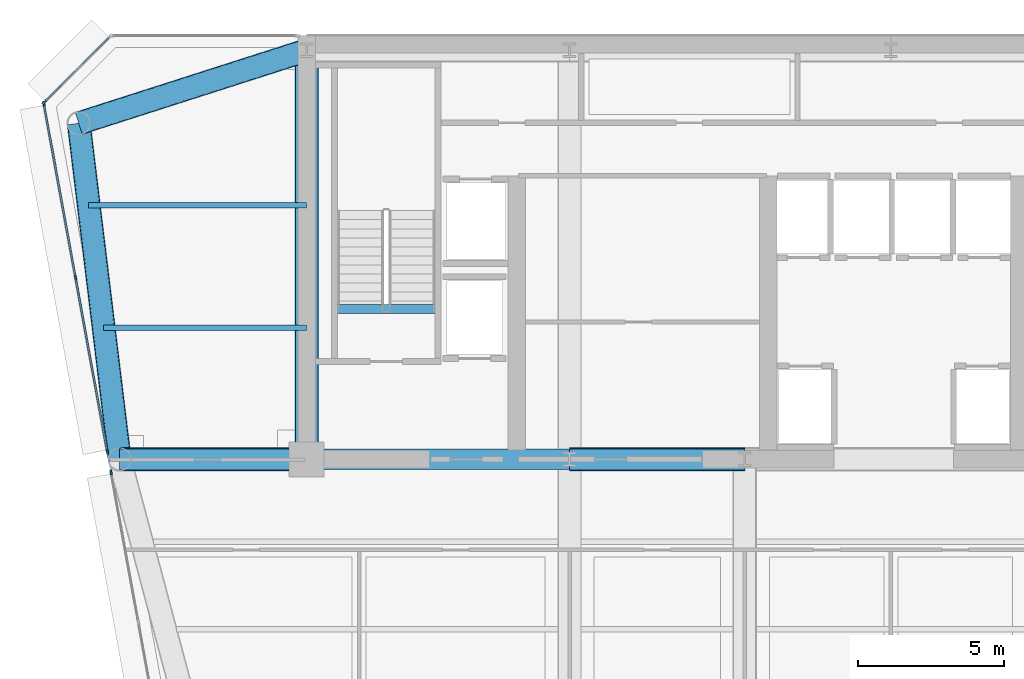
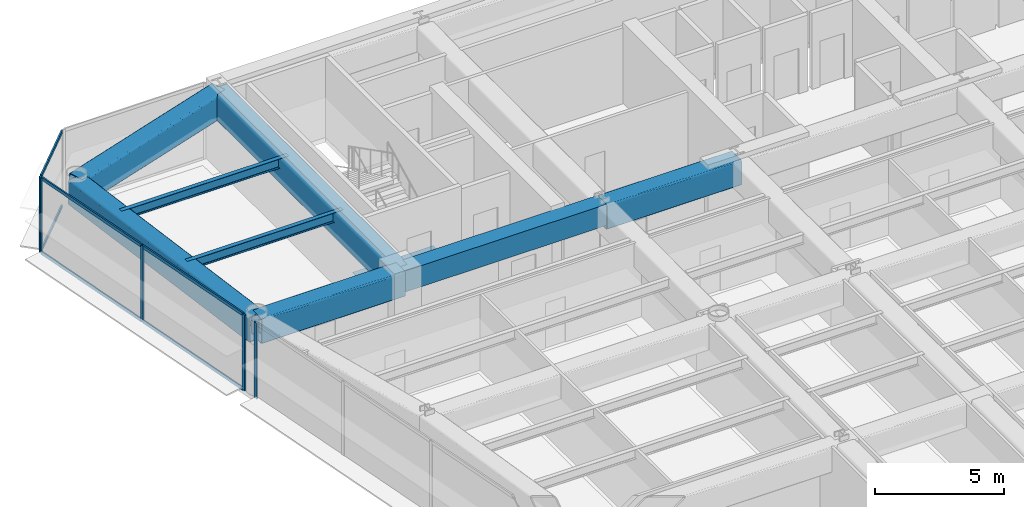
# One storey, part 7 of 17: 11 members, 9 beams, 3 elements without a shape of their own.
"""IFC4 building model written with IfcOpenShell, lengths in metres."""

import ifcopenshell
import ifcopenshell.guid

model = None  # the IFC model being written
_history = None  # IfcOwnerHistory: only IFC2X3 demands one
_inside = {}  # id of a spatial element -> (the spatial element, [elements in it])
_under = {}  # id of a project, library or spatial element -> (it, [spatial elements below it])
_declared = {}  # id of a project -> (the project, [libraries it declares])
_typed = {}  # id of a type object -> (the type object, [elements of that type])
_made_of = {}  # id of a material, layer set ... -> (it, [elements and type objects made of it])


def new_model(schema):
    """Start an empty IFC model of exactly this schema.

    Asked for "IFC4X3", IfcOpenShell would pick the latest addendum, in which some entities
    have other attributes; the version numbers below select the first issue.
    IFC2X3 requires an IfcOwnerHistory on every rooted entity: one is made here for all.
    """
    global model, _history
    if schema == "IFC4X3":
        model = ifcopenshell.file(schema_version=(4, 3, 0, 0))
    else:
        model = ifcopenshell.file(schema=schema)
    _inside.clear()
    _under.clear()
    _declared.clear()
    _typed.clear()
    _made_of.clear()
    _history = None
    if model.schema == "IFC2X3":
        org = make("IfcOrganization", Name="unknown")
        user = make(
            "IfcPersonAndOrganization",
            ThePerson=make("IfcPerson", FamilyName="unknown"),
            TheOrganization=org,
        )
        app = make(
            "IfcApplication",
            ApplicationDeveloper=org,
            Version="unknown",
            ApplicationFullName="unknown",
            ApplicationIdentifier="unknown",
        )
        _history = make(
            "IfcOwnerHistory",
            OwningUser=user,
            OwningApplication=app,
            ChangeAction="ADDED",
            CreationDate=0,
        )
    return model


def make(cls, **values):
    """One entity of the class cls with the attributes given. An attribute that is None is left unset."""
    return model.create_entity(
        cls, **{name: value for name, value in values.items() if value is not None}
    )


def rooted(cls, **values):
    """An entity with a GlobalId (a new one), such as an element, a storey or a relation."""
    return make(cls, GlobalId=ifcopenshell.guid.new(), OwnerHistory=_history, **values)


def si_unit(unit_type, name, prefix=None):
    """IfcSIUnit, for example si_unit("LENGTHUNIT", "METRE", prefix="MILLI")."""
    return make("IfcSIUnit", UnitType=unit_type, Prefix=prefix, Name=name)


def assignment(units):
    """IfcUnitAssignment: the units of a project."""
    return None if units is None else make("IfcUnitAssignment", Units=units)


def point(xyz):
    """IfcCartesianPoint."""
    return None if xyz is None else make("IfcCartesianPoint", Coordinates=xyz)


def direction(xyz):
    """IfcDirection."""
    return None if xyz is None else make("IfcDirection", DirectionRatios=xyz)


def frame(location, z_axis=None, x_axis=None):
    """IfcAxis2Placement3D, a coordinate frame: its origin and axes. An axis left out is left unset."""
    return make(
        "IfcAxis2Placement3D",
        Location=point(location),
        Axis=direction(z_axis),
        RefDirection=direction(x_axis),
    )


def frame_2d(location, x_axis=None):
    """IfcAxis2Placement2D, a coordinate frame in the plane: its origin and x axis."""
    return make(
        "IfcAxis2Placement2D", Location=point(location), RefDirection=direction(x_axis)
    )


def origin():
    """The frame at (0, 0, 0) with its axes left unset."""
    return frame((0.0, 0.0, 0.0))


def origin_2d():
    """The frame at (0, 0) in the plane with its x axis left unset."""
    return frame_2d((0.0, 0.0))


def place(relative_to, where):
    """IfcLocalPlacement: puts the frame where relative to a parent placement (None: the world)."""
    return make(
        "IfcLocalPlacement", PlacementRelTo=relative_to, RelativePlacement=where
    )


def context(
    kind, dimensions, precision=None, world=None, true_north=None, identifier=None
):
    """IfcGeometricRepresentationContext, for example the 3D "Model" context."""
    return make(
        "IfcGeometricRepresentationContext",
        ContextIdentifier=identifier,
        ContextType=kind,
        CoordinateSpaceDimension=dimensions,
        Precision=precision,
        WorldCoordinateSystem=world,
        TrueNorth=true_north,
    )


def subcontext(parent, identifier, kind, view, scale=None):
    """IfcGeometricRepresentationSubContext, for example "Body" below "Model"."""
    return make(
        "IfcGeometricRepresentationSubContext",
        ContextIdentifier=identifier,
        ContextType=kind,
        ParentContext=parent,
        TargetScale=scale,
        TargetView=view,
    )


def project(units=None, contexts=None):
    """IfcProject with its units and contexts."""
    return rooted(
        "IfcProject",
        Name="project",
        RepresentationContexts=contexts,
        UnitsInContext=assignment(units),
    )


def spatial(cls, under=None, at=None, **own):
    """A site, building, storey or space (cls), placed at a placement, below another one or the project."""
    s = rooted(cls, ObjectPlacement=at, **own)
    if under is not None:
        _under.setdefault(under.id(), (under, []))[1].append(s)
    return s


def profile(cls, at=None, kind="AREA", **sizes):
    """A parametric profile (cls). Its sizes go by their IFC names, for example OverallWidth=200.0."""
    return make(cls, ProfileType=kind, Position=at, **sizes)


def rectangle(**sizes):
    """IfcRectangleProfileDef."""
    return profile("IfcRectangleProfileDef", **sizes)


def hollow_rectangle(**sizes):
    """IfcRectangleHollowProfileDef."""
    return profile("IfcRectangleHollowProfileDef", **sizes)


def i_section(**sizes):
    """IfcIShapeProfileDef."""
    return profile("IfcIShapeProfileDef", **sizes)


def extrude(swept, where, along, depth):
    """IfcExtrudedAreaSolid: the profile swept, set in the frame where, extruded along a direction by depth."""
    return make(
        "IfcExtrudedAreaSolid",
        SweptArea=swept,
        Position=where,
        ExtrudedDirection=direction(along),
        Depth=depth,
    )


def shape(context_of_items, identifier, shape_type, items):
    """IfcShapeRepresentation: the items that make up one representation, for example the "Body"."""
    return make(
        "IfcShapeRepresentation",
        ContextOfItems=context_of_items,
        RepresentationIdentifier=identifier,
        RepresentationType=shape_type,
        Items=items,
    )


def source(mapping_origin, context_of_items, identifier, shape_type, items):
    """IfcRepresentationMap: a shape defined once, which mapped items show again and again."""
    return make(
        "IfcRepresentationMap",
        MappingOrigin=mapping_origin,
        MappedRepresentation=shape(context_of_items, identifier, shape_type, items),
    )


def transform(
    local_origin,
    x_axis=None,
    y_axis=None,
    z_axis=None,
    scale=None,
    scale2=None,
    scale3=None,
    uniform=True,
):
    """IfcCartesianTransformationOperator3D, or its non-uniform kind. x_axis, y_axis, z_axis: its Axis1, 2, 3."""
    if uniform:
        return make(
            "IfcCartesianTransformationOperator3D",
            Axis1=direction(x_axis),
            Axis2=direction(y_axis),
            LocalOrigin=point(local_origin),
            Scale=scale,
            Axis3=direction(z_axis),
        )
    return make(
        "IfcCartesianTransformationOperator3DnonUniform",
        Axis1=direction(x_axis),
        Axis2=direction(y_axis),
        LocalOrigin=point(local_origin),
        Scale=scale,
        Axis3=direction(z_axis),
        Scale2=scale2,
        Scale3=scale3,
    )


def mapped(mapping_source, mapping_target):
    """IfcMappedItem: shows the shape of a source again, moved by a transform."""
    return make(
        "IfcMappedItem", MappingSource=mapping_source, MappingTarget=mapping_target
    )


def material(Name=None, Category=None):
    """IfcMaterial."""
    return make("IfcMaterial", Name=Name, Category=Category)


def layer(
    of_material, thickness, ventilated=None, Name=None, Category=None, Priority=None
):
    """IfcMaterialLayer: one layer of a wall or slab, of a material (None: an air gap)."""
    return make(
        "IfcMaterialLayer",
        Material=of_material,
        LayerThickness=thickness,
        IsVentilated=ventilated,
        Name=Name,
        Category=Category,
        Priority=Priority,
    )


def layer_set(layers, Name=None):
    """IfcMaterialLayerSet."""
    return make("IfcMaterialLayerSet", MaterialLayers=layers, LayerSetName=Name)


def material_profile(
    of_material, cross_section, Name=None, Category=None, Priority=None
):
    """IfcMaterialProfile: a cross section and its material."""
    return make(
        "IfcMaterialProfile",
        Name=Name,
        Material=of_material,
        Profile=cross_section,
        Priority=Priority,
        Category=Category,
    )


def profile_set(profiles, Name=None, composite=None):
    """IfcMaterialProfileSet."""
    return make(
        "IfcMaterialProfileSet",
        Name=Name,
        MaterialProfiles=profiles,
        CompositeProfile=composite,
    )


def made_of(thing, what):
    """Note that an element or type object is made of a material, layer set ...; save() writes the relation."""
    if what is not None:
        _made_of.setdefault(what.id(), (what, []))[1].append(thing)
    return thing


def type_object(cls, material=None, **own):
    """A type object (cls), such as IfcWallType, which elements share."""
    return made_of(rooted(cls, **own), material)


def element(
    cls,
    number,
    at=None,
    inside=None,
    cuts=None,
    type_object=None,
    material=None,
    context=None,
    identifier="Body",
    shape_type=None,
    held_by="IfcProductDefinitionShape",
    body=None,
    shapes=None,
    **own,
):
    """One element of the class cls, such as IfcWall. Its Tag is "e" and its number.

    at: its placement. inside: the storey or other place that contains it. cuts: it is an
    opening in that element (IfcRelVoidsElement). A single representation is given by context,
    identifier, shape_type and body (its items); several are given by shapes. held_by: the class
    of the entity that holds the representations. save() writes the other relations.
    """
    e = rooted(cls, Tag="e%d" % number, ObjectPlacement=at, **own)
    if body is not None:
        shapes = [shape(context, identifier, shape_type, body)]
    if shapes is not None:
        e.Representation = make(held_by, Representations=shapes)
    if inside is not None:
        _inside.setdefault(inside.id(), (inside, []))[1].append(e)
    if cuts is not None:
        rooted(
            "IfcRelVoidsElement", RelatingBuildingElement=cuts, RelatedOpeningElement=e
        )
    if type_object is not None:
        _typed.setdefault(type_object.id(), (type_object, []))[1].append(e)
    return made_of(e, material)


def aggregate(whole, parts):
    """IfcRelAggregates: a whole, such as a stair, and the parts it consists of."""
    return rooted("IfcRelAggregates", RelatingObject=whole, RelatedObjects=parts)


def save(model, path):
    """Write the relations noted so far, then the file.

    IfcRelAggregates (storeys below a building ...), IfcRelContainedInSpatialStructure (elements
    in a storey), IfcRelDefinesByType, IfcRelAssociatesMaterial and IfcRelDeclares: one each for
    every whole, place, type object, material and project.
    """
    for whole, parts in _under.values():
        aggregate(whole, parts)
    for where, things in _inside.values():
        rooted(
            "IfcRelContainedInSpatialStructure",
            RelatedElements=things,
            RelatingStructure=where,
        )
    for kind, things in _typed.values():
        rooted("IfcRelDefinesByType", RelatedObjects=things, RelatingType=kind)
    for what, things in _made_of.values():
        rooted("IfcRelAssociatesMaterial", RelatedObjects=things, RelatingMaterial=what)
    for by, libraries in _declared.values():
        rooted("IfcRelDeclares", RelatingContext=by, RelatedDefinitions=libraries)
    model.write(path)


model = new_model("IFC4")

# Units and contexts
model_context = context("Model", 3, precision=1e-05, world=origin(), true_north=direction((0.0, 1.0)))
body_context = subcontext(model_context, "Body", "Model", "MODEL_VIEW")
ifc_project = project(units=[si_unit("LENGTHUNIT", "METRE"), si_unit("AREAUNIT", "SQUARE_METRE"), si_unit("VOLUMEUNIT", "CUBIC_METRE"), si_unit("PLANEANGLEUNIT", "RADIAN"), si_unit("MASSUNIT", "GRAM", prefix="KILO")], contexts=[model_context])

# Site, building, storey
site_placement = place(None, origin())
site = spatial("IfcSite", under=ifc_project, at=site_placement, CompositionType="ELEMENT")
building_placement = place(site_placement, origin())
building = spatial("IfcBuilding", under=site, at=building_placement, Name="Vaeldorn Concourse Tower", CompositionType="ELEMENT")
storey_placement = place(building_placement, frame((0.0, 0.0, 176.60009765625)))
storey = spatial("IfcBuildingStorey", under=building, at=storey_placement, Name="L45", CompositionType="ELEMENT", Elevation=176.60009765625)

# Beams
ifc_material_1 = material(Name="Concrete C50/60", Category="concrete")
ifc_material_profile_1 = material_profile(ifc_material_1, rectangle(XDim=0.699951171875, YDim=1.0, at=origin_2d()), Name="RC 700x1000")
ifc_profile_set_1 = profile_set([ifc_material_profile_1], Name="Concrete C50/60")
beam_type_1 = type_object("IfcBeamType", Name="BM-CB-RC700", PredefinedType="BEAM", material=ifc_profile_set_1)
shared_shape_1 = source(origin(), body_context, "Body", "SweptSolid", [
    extrude(rectangle(XDim=0.699951171875, YDim=1.0, at=origin_2d()), origin(), (0.0, 0.0, 1.0), 9.0),
])
beam_1_placement = place(storey_placement, frame((14.0, 36.5, 3.079833984375), z_axis=(1.0, 0.0, 0.0), x_axis=(0.0, 1.0, 0.0)))
element("IfcBeam", 1, at=beam_1_placement, inside=storey, type_object=beam_type_1, Name="Core Coupling Beam L45-1", PredefinedType="BEAM", context=body_context, shape_type="MappedRepresentation", body=[
    mapped(shared_shape_1, transform((0.0, 0.0, 0.0), scale=1.0)),
])
ifc_material_2 = material(Name="Steel S355", Category="steel")
ifc_material_profile_2 = material_profile(ifc_material_2, i_section(OverallWidth=0.300048828125, OverallDepth=0.340087890625, WebThickness=0.011962890625, FlangeThickness=0.021484375, FilletRadius=0.027099609375, at=origin_2d()), Name="HEB 340")
ifc_profile_set_2 = profile_set([ifc_material_profile_2], Name="Steel S355")
beam_type_2 = type_object("IfcBeamType", Name="BM-ST-TRIM", PredefinedType="BEAM", material=ifc_profile_set_2)
shared_shape_2 = source(origin(), body_context, "Body", "SweptSolid", [
    extrude(i_section(OverallWidth=0.300048828125, OverallDepth=0.340087890625, WebThickness=0.011962890625, FlangeThickness=0.021484375, FilletRadius=0.027099609375, at=origin_2d()), origin(), (0.0, 0.0, 1.0), 3.590087890625),
])
beam_2_placement = place(storey_placement, frame((14.929931640625, 41.639892578125, -0.39013671875), z_axis=(1.0, 0.0, 0.0), x_axis=(0.0, 1.0, 0.0)))
element("IfcBeam", 2, at=beam_2_placement, inside=storey, type_object=beam_type_2, Name="Stair Landing Trimmer Beam ST-1 L45", PredefinedType="BEAM", context=body_context, shape_type="MappedRepresentation", body=[
    mapped(shared_shape_2, transform((0.0, 0.0, 0.0), scale=1.0)),
])
ifc_material_3 = material(Name="Steel S460", Category="steel")
ifc_material_profile_3 = material_profile(ifc_material_3, hollow_rectangle(XDim=0.800048828125, YDim=1.199951171875, WallThickness=0.044921875, InnerFilletRadius=0.044921875, OuterFilletRadius=0.090087890625, at=origin_2d()), Name="RHS 1200x800x45")
ifc_profile_set_3 = profile_set([ifc_material_profile_3], Name="Steel S460")
beam_type_3 = type_object("IfcBeamType", Name="BM-TG-RHS1200", PredefinedType="BEAM", material=ifc_profile_set_3)
shared_shape_3 = source(origin(), body_context, "Body", "SweptSolid", [
    extrude(hollow_rectangle(XDim=0.800048828125, YDim=1.199951171875, WallThickness=0.044921875, InnerFilletRadius=0.044921875, OuterFilletRadius=0.090087890625, at=origin_2d()), origin(), (0.0, 0.0, 1.0), 6.0),
])
beam_3_placement = place(storey_placement, frame((23.0, 36.5, 2.97998046875), z_axis=(1.0, 0.0, 0.0), x_axis=(0.0, 1.0, 0.0)))
element("IfcBeam", 3, at=beam_3_placement, inside=storey, type_object=beam_type_3, Name="Beam BM-L45-C-FC2-C-FC3", PredefinedType="BEAM", context=body_context, shape_type="MappedRepresentation", body=[
    mapped(shared_shape_3, transform((0.0, 0.0, 0.0), scale=1.0)),
])
shared_shape_4 = source(origin(), body_context, "Body", "SweptSolid", [
    extrude(hollow_rectangle(XDim=0.800048828125, YDim=1.199951171875, WallThickness=0.044921875, InnerFilletRadius=0.044921875, OuterFilletRadius=0.090087890625, at=origin_2d()), origin(), (0.0, 0.0, 1.0), 14.0),
])
beam_4_placement = place(storey_placement, frame((14.0, 36.5, 2.97998046875), z_axis=(0.0, 1.0, 0.0), x_axis=(-1.0, 0.0, 0.0)))
element("IfcBeam", 4, at=beam_4_placement, inside=storey, type_object=beam_type_3, Name="Beam BM-L45-C-FC1-C-HC1", PredefinedType="BEAM", context=body_context, shape_type="MappedRepresentation", body=[
    mapped(shared_shape_4, transform((0.0, 0.0, 0.0), scale=1.0)),
])
shared_shape_5 = source(origin(), body_context, "Body", "SweptSolid", [
    extrude(hollow_rectangle(XDim=0.800048828125, YDim=1.199951171875, WallThickness=0.044921875, InnerFilletRadius=0.044921875, OuterFilletRadius=0.090087890625, at=origin_2d()), origin(), (0.0, 0.0, 1.0), 6.39990234375),
])
beam_5_placement = place(storey_placement, frame((7.60009765625, 36.5, 2.97998046875), z_axis=(1.0, 0.0, 0.0), x_axis=(0.0, 1.0, 0.0)))
element("IfcBeam", 5, at=beam_5_placement, inside=storey, type_object=beam_type_3, Name="Beam BM-L45-C-NW2-C-FC1", PredefinedType="BEAM", context=body_context, shape_type="MappedRepresentation", body=[
    mapped(shared_shape_5, transform((0.0, 0.0, 0.0), scale=1.0)),
])
shared_shape_6 = source(origin(), body_context, "Body", "SweptSolid", [
    extrude(hollow_rectangle(XDim=0.800048828125, YDim=1.199951171875, WallThickness=0.044921875, InnerFilletRadius=0.044921875, OuterFilletRadius=0.090087890625, at=origin_2d()), origin(), (0.0, 0.0, 1.0), 8.19091796875),
])
beam_6_placement = place(storey_placement, frame((6.199951171875, 48.0, 2.97998046875), z_axis=(0.952282843383, 0.305216949396, 0.0), x_axis=(-0.305216949396, 0.952282843383, 0.0)))
element("IfcBeam", 6, at=beam_6_placement, inside=storey, type_object=beam_type_3, Name="Beam BM-L45-C-NW1-C-HC1", PredefinedType="BEAM", context=body_context, shape_type="MappedRepresentation", body=[
    mapped(shared_shape_6, transform((0.0, 0.0, 0.0), scale=1.0)),
])
shared_shape_7 = source(origin(), body_context, "Body", "SweptSolid", [
    extrude(hollow_rectangle(XDim=0.800048828125, YDim=1.199951171875, WallThickness=0.044921875, InnerFilletRadius=0.044921875, OuterFilletRadius=0.090087890625, at=origin_2d()), origin(), (0.0, 0.0, 1.0), 11.5849609375),
])
beam_7_placement = place(storey_placement, frame((6.199951171875, 48.0, 2.97998046875), z_axis=(0.120859382899, -0.992669637677, 0.0), x_axis=(0.992669637677, 0.120859382899, 0.0)))
element("IfcBeam", 7, at=beam_7_placement, inside=storey, type_object=beam_type_3, Name="Beam BM-L45-C-NW1-C-NW2", PredefinedType="BEAM", context=body_context, shape_type="MappedRepresentation", body=[
    mapped(shared_shape_7, transform((0.0, 0.0, 0.0), scale=1.0)),
])
ifc_material_profile_4 = material_profile(ifc_material_2, i_section(OverallWidth=0.18994140625, OverallDepth=0.449951171875, WebThickness=0.009521484375, FlangeThickness=0.0146484375, FilletRadius=0.02099609375, at=origin_2d()), Name="IPE 450")
ifc_profile_set_4 = profile_set([ifc_material_profile_4], Name="Steel S355")
beam_type_4 = type_object("IfcBeamType", Name="BM-JS-IPE450", PredefinedType="JOIST", material=ifc_profile_set_4)
shared_shape_8 = source(origin(), body_context, "Body", "SweptSolid", [
    extrude(i_section(OverallWidth=0.18994140625, OverallDepth=0.449951171875, WebThickness=0.009521484375, FlangeThickness=0.0146484375, FilletRadius=0.02099609375, at=origin_2d()), origin(), (0.0, 0.0, 1.0), 6.94775390625),
])
beam_8_placement = place(storey_placement, frame((7.05224609375, 41.0, 3.35498046875), z_axis=(1.0, 0.0, 0.0), x_axis=(0.0, 1.0, 0.0)))
element("IfcBeam", 8, at=beam_8_placement, inside=storey, type_object=beam_type_4, Name="Beam JS-L45-NW-410", PredefinedType="JOIST", context=body_context, shape_type="MappedRepresentation", body=[
    mapped(shared_shape_8, transform((0.0, 0.0, 0.0), scale=1.0)),
])
shared_shape_9 = source(origin(), body_context, "Body", "SweptSolid", [
    extrude(i_section(OverallWidth=0.18994140625, OverallDepth=0.449951171875, WebThickness=0.009521484375, FlangeThickness=0.0146484375, FilletRadius=0.02099609375, at=origin_2d()), origin(), (0.0, 0.0, 1.0), 7.458984375),
])
beam_9_placement = place(storey_placement, frame((6.541015625, 45.199951171875, 3.35498046875), z_axis=(1.0, 0.0, 0.0), x_axis=(0.0, 1.0, 0.0)))
element("IfcBeam", 9, at=beam_9_placement, inside=storey, type_object=beam_type_4, Name="Beam JS-L45-NW-452", PredefinedType="JOIST", context=body_context, shape_type="MappedRepresentation", body=[
    mapped(shared_shape_9, transform((0.0, 0.0, 0.0), scale=1.0)),
])

# Curtain wall, member
ifc_material_4 = material(Name="Anodised Bronze Aluminium", Category="aluminium")
ifc_layer = layer(ifc_material_4, 0.18994140625)
ifc_layer_set = layer_set([ifc_layer], Name="Anodised Bronze Aluminium")
curtain_wall_type = type_object("IfcCurtainWallType", Name="CW-SYS-03", PredefinedType="NOTDEFINED", material=ifc_layer_set)
curtain_wall_1_placement = place(storey_placement, origin())
curtain_wall_1 = element("IfcCurtainWall", 10, at=curtain_wall_1_placement, inside=storey, type_object=curtain_wall_type, Name="Unitised Curtain Wall CW-L45-E10-1", PredefinedType="NOTDEFINED")
ifc_material_profile_5 = material_profile(ifc_material_4, rectangle(XDim=0.06494140625, YDim=0.169921875, at=origin_2d()), Name="CWM 65x170")
ifc_profile_set_5 = profile_set([ifc_material_profile_5], Name="Anodised Bronze Aluminium")
member_type_1 = type_object("IfcMemberType", Name="CWM-BRONZE-170", PredefinedType="MULLION", material=ifc_profile_set_5)
shared_shape_10 = source(origin(), body_context, "Body", "SweptSolid", [
    extrude(rectangle(XDim=0.06494140625, YDim=0.169921875, at=origin_2d()), origin(), (0.0, 0.0, 1.0), 3.579833984375),
])
member_1_placement = place(storey_placement, frame((5.02294921875, 48.722900390625, 0.0), z_axis=(0.0, 0.0, 1.0), x_axis=(0.707106781187, -0.707106781187, 0.0)))
member_1 = element("IfcMember", 11, at=member_1_placement, type_object=member_type_1, Name="CW-03 mullion 2", PredefinedType="MULLION", context=body_context, shape_type="MappedRepresentation", body=[
    mapped(shared_shape_10, transform((0.0, 0.0, 0.0), scale=1.0)),
])

# Curtain wall, members
curtain_wall_2_placement = place(storey_placement, origin())
curtain_wall_2 = element("IfcCurtainWall", 12, at=curtain_wall_2_placement, inside=storey, type_object=curtain_wall_type, Name="Unitised Curtain Wall CW-L45-E11-1", PredefinedType="NOTDEFINED")
member_2_placement = place(storey_placement, frame((5.005859375, 48.66796875, 0.0), z_axis=(0.0, 0.0, 1.0), x_axis=(0.983767579285, 0.179447345892, 0.0)))
member_2 = element("IfcMember", 13, at=member_2_placement, type_object=member_type_1, Name="CW-03 mullion 1", PredefinedType="MULLION", context=body_context, shape_type="MappedRepresentation", body=[
    mapped(shared_shape_10, transform((0.0, 0.0, 0.0), scale=1.0)),
])
member_3_placement = place(storey_placement, frame((6.091796875, 42.71484375, 0.0), z_axis=(0.0, 0.0, 1.0), x_axis=(0.983767579285, 0.179447345892, 0.0)))
member_3 = element("IfcMember", 14, at=member_3_placement, type_object=member_type_1, Name="CW-03 mullion 2", PredefinedType="MULLION", context=body_context, shape_type="MappedRepresentation", body=[
    mapped(shared_shape_10, transform((0.0, 0.0, 0.0), scale=1.0)),
])
member_4_placement = place(storey_placement, frame((7.177734375, 36.761474609375, 0.0), z_axis=(0.0, 0.0, 1.0), x_axis=(0.983767579285, 0.179447345892, 0.0)))
member_4 = element("IfcMember", 15, at=member_4_placement, type_object=member_type_1, Name="CW-03 mullion 3", PredefinedType="MULLION", context=body_context, shape_type="MappedRepresentation", body=[
    mapped(shared_shape_10, transform((0.0, 0.0, 0.0), scale=1.0)),
])

# Curtain wall, member
curtain_wall_3_placement = place(storey_placement, origin())
curtain_wall_3 = element("IfcCurtainWall", 16, at=curtain_wall_3_placement, inside=storey, type_object=curtain_wall_type, Name="Unitised Curtain Wall CW-L45-E11-2", PredefinedType="NOTDEFINED")
member_5_placement = place(storey_placement, frame((7.30712890625, 36.051513671875, 0.0), z_axis=(0.0, 0.0, 1.0), x_axis=(0.983767841325, 0.179445909331, 0.0)))
member_5 = element("IfcMember", 17, at=member_5_placement, type_object=member_type_1, Name="CW-03 mullion 1", PredefinedType="MULLION", context=body_context, shape_type="MappedRepresentation", body=[
    mapped(shared_shape_10, transform((0.0, 0.0, 0.0), scale=1.0)),
])
aggregate(curtain_wall_3, [member_5])

# Member
ifc_material_profile_6 = material_profile(ifc_material_4, rectangle(XDim=0.06494140625, YDim=0.14990234375, at=origin_2d()), Name="CWT 65x150")
ifc_profile_set_6 = profile_set([ifc_material_profile_6], Name="Anodised Bronze Aluminium")
member_type_2 = type_object("IfcMemberType", Name="CWT-BRONZE-150", PredefinedType="USERDEFINED", material=ifc_profile_set_6)
shared_shape_11 = source(origin(), body_context, "Body", "SweptSolid", [
    extrude(rectangle(XDim=0.06494140625, YDim=0.14990234375, at=origin_2d()), origin(), (0.0, 0.0, 1.0), 3.123046875),
])
member_6_placement = place(storey_placement, frame((7.254150390625, 50.9541015625, 0.032470703125), z_axis=(-0.707106781187, -0.707106781187, 0.0), x_axis=(0.707106781187, -0.707106781187, 0.0)))
member_6 = element("IfcMember", 18, at=member_6_placement, type_object=member_type_2, Name="CW-03 transom 1.1", ObjectType="TRANSOM", PredefinedType="USERDEFINED", context=body_context, shape_type="MappedRepresentation", body=[
    mapped(shared_shape_11, transform((0.0, 0.0, 0.0), scale=1.0)),
])

member_7_placement = place(storey_placement, frame((7.254150390625, 50.9541015625, 3.54736328125), z_axis=(-0.707106781187, -0.707106781187, 0.0), x_axis=(0.707106781187, -0.707106781187, 0.0)))
member_7 = element("IfcMember", 19, at=member_7_placement, type_object=member_type_2, Name="CW-03 transom 1.2", ObjectType="TRANSOM", PredefinedType="USERDEFINED", context=body_context, shape_type="MappedRepresentation", body=[
    mapped(shared_shape_11, transform((0.0, 0.0, 0.0), scale=1.0)),
])

aggregate(curtain_wall_1, [member_1, member_6, member_7])

shared_shape_12 = source(origin(), body_context, "Body", "SweptSolid", [
    extrude(rectangle(XDim=0.06494140625, YDim=0.14990234375, at=origin_2d()), origin(), (0.0, 0.0, 1.0), 5.986572265625),
])
member_8_placement = place(storey_placement, frame((6.09765625, 42.682861328125, 0.032470703125), z_axis=(0.179438079261, -0.98376926955, 0.0), x_axis=(0.98376926955, 0.179438079261, 0.0)))
member_8 = element("IfcMember", 20, at=member_8_placement, type_object=member_type_2, Name="CW-03 transom 2.1", ObjectType="TRANSOM", PredefinedType="USERDEFINED", context=body_context, shape_type="MappedRepresentation", body=[
    mapped(shared_shape_12, transform((0.0, 0.0, 0.0), scale=1.0)),
])

member_9_placement = place(storey_placement, frame((6.09765625, 42.682861328125, 3.54736328125), z_axis=(0.179438079261, -0.98376926955, 0.0), x_axis=(0.98376926955, 0.179438079261, 0.0)))
member_9 = element("IfcMember", 21, at=member_9_placement, type_object=member_type_2, Name="CW-03 transom 2.2", ObjectType="TRANSOM", PredefinedType="USERDEFINED", context=body_context, shape_type="MappedRepresentation", body=[
    mapped(shared_shape_12, transform((0.0, 0.0, 0.0), scale=1.0)),
])

shared_shape_13 = source(origin(), body_context, "Body", "SweptSolid", [
    extrude(rectangle(XDim=0.06494140625, YDim=0.14990234375, at=origin_2d()), origin(), (0.0, 0.0, 1.0), 5.986328125),
])
member_10_placement = place(storey_placement, frame((5.01171875, 48.635986328125, 0.032470703125), z_axis=(0.179445278506, -0.983767956391, 0.0), x_axis=(0.983767956391, 0.179445278506, 0.0)))
member_10 = element("IfcMember", 22, at=member_10_placement, type_object=member_type_2, Name="CW-03 transom 1.1", ObjectType="TRANSOM", PredefinedType="USERDEFINED", context=body_context, shape_type="MappedRepresentation", body=[
    mapped(shared_shape_13, transform((0.0, 0.0, 0.0), scale=1.0)),
])

member_11_placement = place(storey_placement, frame((5.01171875, 48.635986328125, 3.54736328125), z_axis=(0.179445278506, -0.983767956391, 0.0), x_axis=(0.983767956391, 0.179445278506, 0.0)))
member_11 = element("IfcMember", 23, at=member_11_placement, type_object=member_type_2, Name="CW-03 transom 1.2", ObjectType="TRANSOM", PredefinedType="USERDEFINED", context=body_context, shape_type="MappedRepresentation", body=[
    mapped(shared_shape_13, transform((0.0, 0.0, 0.0), scale=1.0)),
])

aggregate(curtain_wall_2, [member_2, member_3, member_4, member_10, member_11, member_8, member_9])

save(model, "model.ifc")
